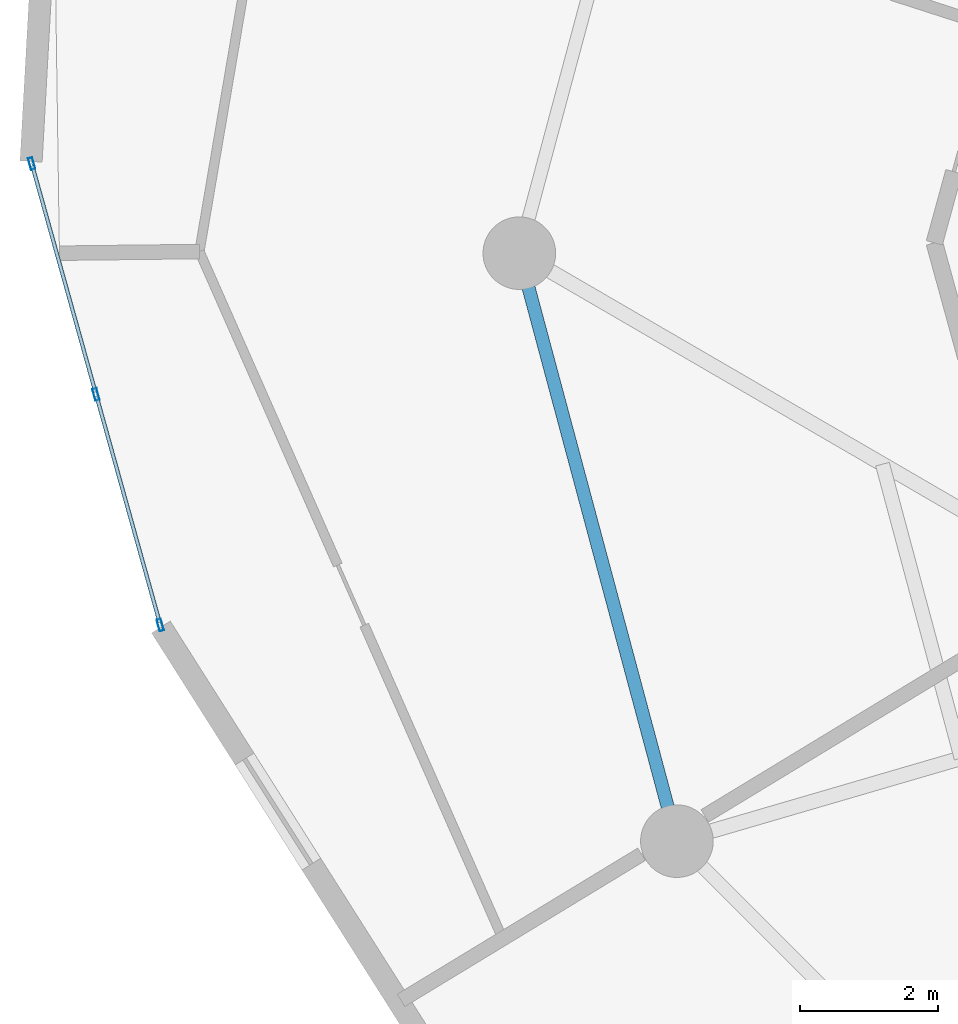
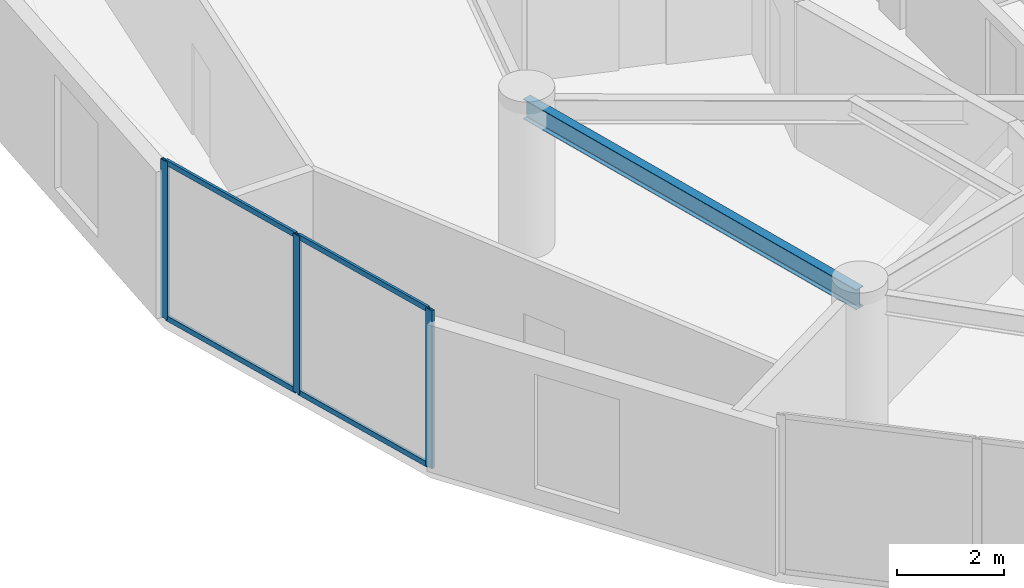
# One storey, part 5 of 25: 7 members, 1 beam, 1 element without a shape of its own.
"""IFC4 building model written with IfcOpenShell, lengths in metres."""

from ifc_helpers import new_model, si_unit, direction, frame, origin, origin_2d, place, context, subcontext, project, spatial, hollow_rectangle, i_section, extrude, source, transform, mapped, material, layer, layer_set, material_profile, profile_set, type_object, element, aggregate, save


model = new_model("IFC4")

# Units and contexts
model_context = context("Model", 3, precision=1e-05, world=origin(), true_north=direction((0.0, 1.0)))
body_context = subcontext(model_context, "Body", "Model", "MODEL_VIEW")
ifc_project = project(units=[si_unit("LENGTHUNIT", "METRE"), si_unit("AREAUNIT", "SQUARE_METRE"), si_unit("VOLUMEUNIT", "CUBIC_METRE"), si_unit("PLANEANGLEUNIT", "RADIAN"), si_unit("MASSUNIT", "GRAM", prefix="KILO")], contexts=[model_context])

# Site, building, storey
site_placement = place(None, origin())
site = spatial("IfcSite", under=ifc_project, at=site_placement, CompositionType="ELEMENT")
building_placement = place(site_placement, origin())
building = spatial("IfcBuilding", under=site, at=building_placement, Name="Solvirekh Grand Hotel", CompositionType="ELEMENT")
storey_placement = place(building_placement, frame((0.0, 0.0, 117.0)))
storey = spatial("IfcBuildingStorey", under=building, at=storey_placement, Name="L29", CompositionType="ELEMENT", Elevation=117.0)

# Beam
ifc_material_1 = material(Name="Steel S355", Category="steel")
ifc_material_profile_1 = material_profile(ifc_material_1, i_section(OverallWidth=0.18994140625, OverallDepth=0.45703125, WebThickness=0.009033203125, FlangeThickness=0.013916015625, FilletRadius=0.012939453125, at=origin_2d()), Name="W460X74")
ifc_profile_set_1 = profile_set([ifc_material_profile_1], Name="Steel S355")
beam_type = type_object("IfcBeamType", Name="Spandrel_Ring_W460", PredefinedType="SPANDREL", material=ifc_profile_set_1)
beam_placement = place(storey_placement, frame((-17.0, 0.0, 3.12109375), z_axis=(0.258872908946, -0.965911391906, 0.0), x_axis=(0.965911391906, 0.258872908946, 0.0)))
element("IfcBeam", 1, at=beam_placement, inside=storey, type_object=beam_type, Name="L29 perimeter spandrel beam 7", PredefinedType="SPANDREL", context=body_context, shape_type="SweptSolid", body=[
    extrude(i_section(OverallWidth=0.18994140625, OverallDepth=0.45703125, WebThickness=0.009033203125, FlangeThickness=0.013916015625, FilletRadius=0.012939453125, at=origin_2d()), origin(), (0.0, 0.0, 1.0), 8.800048828125),
])

# Curtain wall, members
ifc_material_2 = material(Name="Anodized Bronze Aluminium 6063-T6", Category="aluminium")
ifc_layer = layer(ifc_material_2, 0.175048828125)
ifc_layer_set = layer_set([ifc_layer], Name="Anodized Bronze Aluminium 6063-T6")
curtain_wall_type = type_object("IfcCurtainWallType", Name="CW_Sys3_MidZoneFlushBronzeCW", PredefinedType="NOTDEFINED", material=ifc_layer_set)
curtain_wall_placement = place(storey_placement, origin())
curtain_wall = element("IfcCurtainWall", 2, at=curtain_wall_placement, inside=storey, type_object=curtain_wall_type, Name="L29 unitised bronze-glass curtain wall CW-L29-C13", PredefinedType="NOTDEFINED")
ifc_material_profile_2 = material_profile(ifc_material_2, hollow_rectangle(XDim=0.06494140625, YDim=0.175048828125, WallThickness=0.0048828125, at=origin_2d()), Name="ALU RHS 175X65X5")
ifc_profile_set_2 = profile_set([ifc_material_profile_2], Name="Anodized Bronze Aluminium 6063-T6")
member_type_1 = type_object("IfcMemberType", Name="CWMullion_Sys3", PredefinedType="MULLION", material=ifc_profile_set_2)
shared_shape_1 = source(origin(), body_context, "Body", "SweptSolid", [
    extrude(hollow_rectangle(XDim=0.06494140625, YDim=0.175048828125, WallThickness=0.0048828125, at=origin_2d()), origin(), (0.0, 0.0, 1.0), 3.60009765625),
])
member_1_placement = place(storey_placement, frame((-24.05029296875, 1.295654296875, 0.0), z_axis=(0.0, 0.0, 1.0), x_axis=(0.96326948599, 0.26853658477, 0.0)))
member_1 = element("IfcMember", 3, at=member_1_placement, type_object=member_type_1, Name="U03 mullion 1", PredefinedType="MULLION", context=body_context, shape_type="MappedRepresentation", body=[
    mapped(shared_shape_1, transform((0.0, 0.0, 0.0), x_axis=(1.0, 0.0, 0.0), y_axis=(0.0, 1.0, 0.0), z_axis=(0.0, 0.0, 1.0), scale=1.0)),
])
member_2_placement = place(storey_placement, frame((-23.12060546875, -2.03955078125, 0.0), z_axis=(0.0, 0.0, 1.0), x_axis=(0.96326948599, 0.26853658477, 0.0)))
member_2 = element("IfcMember", 4, at=member_2_placement, type_object=member_type_1, Name="U03 mullion 2", PredefinedType="MULLION", context=body_context, shape_type="MappedRepresentation", body=[
    mapped(shared_shape_1, transform((0.0, 0.0, 0.0), x_axis=(1.0, 0.0, 0.0), y_axis=(0.0, 1.0, 0.0), z_axis=(0.0, 0.0, 1.0), scale=1.0)),
])
member_3_placement = place(storey_placement, frame((-22.190673828125, -5.374755859375, 0.0), z_axis=(0.0, 0.0, 1.0), x_axis=(0.96326948599, 0.26853658477, 0.0)))
member_3 = element("IfcMember", 5, at=member_3_placement, type_object=member_type_1, Name="U03 mullion 3", PredefinedType="MULLION", context=body_context, shape_type="MappedRepresentation", body=[
    mapped(shared_shape_1, transform((0.0, 0.0, 0.0), x_axis=(1.0, 0.0, 0.0), y_axis=(0.0, 1.0, 0.0), z_axis=(0.0, 0.0, 1.0), scale=1.0)),
])
ifc_material_profile_3 = material_profile(ifc_material_2, hollow_rectangle(XDim=0.054931640625, YDim=0.1201171875, WallThickness=0.00390625, at=origin_2d()), Name="ALU RHS 120X55X4")
ifc_profile_set_3 = profile_set([ifc_material_profile_3], Name="Anodized Bronze Aluminium 6063-T6")
member_type_2 = type_object("IfcMemberType", Name="CWTransom_Sys3", PredefinedType="USERDEFINED", material=ifc_profile_set_3)
shared_shape_2 = source(origin(), body_context, "Body", "SweptSolid", [
    extrude(hollow_rectangle(XDim=0.054931640625, YDim=0.1201171875, WallThickness=0.00390625, at=origin_2d()), origin(), (0.0, 0.0, 1.0), 3.3974609375),
])
member_4_placement = place(storey_placement, frame((-24.04150390625, 1.264404296875, 0.027587890625), z_axis=(0.268536941272, -0.963269386606, 0.0), x_axis=(0.963269386606, 0.268536941272, 0.0)))
member_4 = element("IfcMember", 6, at=member_4_placement, type_object=member_type_2, Name="U03 transom 1.1", ObjectType="TRANSOM", PredefinedType="USERDEFINED", context=body_context, shape_type="MappedRepresentation", body=[
    mapped(shared_shape_2, transform((0.0, 0.0, 0.0), x_axis=(1.0, 0.0, 0.0), y_axis=(0.0, 1.0, 0.0), z_axis=(0.0, 0.0, 1.0), scale=1.0)),
])
member_5_placement = place(storey_placement, frame((-24.04150390625, 1.264404296875, 3.572509765625), z_axis=(0.268536941272, -0.963269386606, 0.0), x_axis=(0.963269386606, 0.268536941272, 0.0)))
member_5 = element("IfcMember", 7, at=member_5_placement, type_object=member_type_2, Name="U03 transom 1.2", ObjectType="TRANSOM", PredefinedType="USERDEFINED", context=body_context, shape_type="MappedRepresentation", body=[
    mapped(shared_shape_2, transform((0.0, 0.0, 0.0), x_axis=(1.0, 0.0, 0.0), y_axis=(0.0, 1.0, 0.0), z_axis=(0.0, 0.0, 1.0), scale=1.0)),
])
member_6_placement = place(storey_placement, frame((-23.11181640625, -2.07080078125, 0.027587890625), z_axis=(0.268536941272, -0.963269386606, 0.0), x_axis=(0.963269386606, 0.268536941272, 0.0)))
member_6 = element("IfcMember", 8, at=member_6_placement, type_object=member_type_2, Name="U03 transom 2.1", ObjectType="TRANSOM", PredefinedType="USERDEFINED", context=body_context, shape_type="MappedRepresentation", body=[
    mapped(shared_shape_2, transform((0.0, 0.0, 0.0), x_axis=(1.0, 0.0, 0.0), y_axis=(0.0, 1.0, 0.0), z_axis=(0.0, 0.0, 1.0), scale=1.0)),
])
member_7_placement = place(storey_placement, frame((-23.11181640625, -2.07080078125, 3.572509765625), z_axis=(0.268536941272, -0.963269386606, 0.0), x_axis=(0.963269386606, 0.268536941272, 0.0)))
member_7 = element("IfcMember", 9, at=member_7_placement, type_object=member_type_2, Name="U03 transom 2.2", ObjectType="TRANSOM", PredefinedType="USERDEFINED", context=body_context, shape_type="MappedRepresentation", body=[
    mapped(shared_shape_2, transform((0.0, 0.0, 0.0), x_axis=(1.0, 0.0, 0.0), y_axis=(0.0, 1.0, 0.0), z_axis=(0.0, 0.0, 1.0), scale=1.0)),
])
aggregate(curtain_wall, [member_1, member_2, member_3, member_4, member_5, member_6, member_7])

save(model, "model.ifc")
